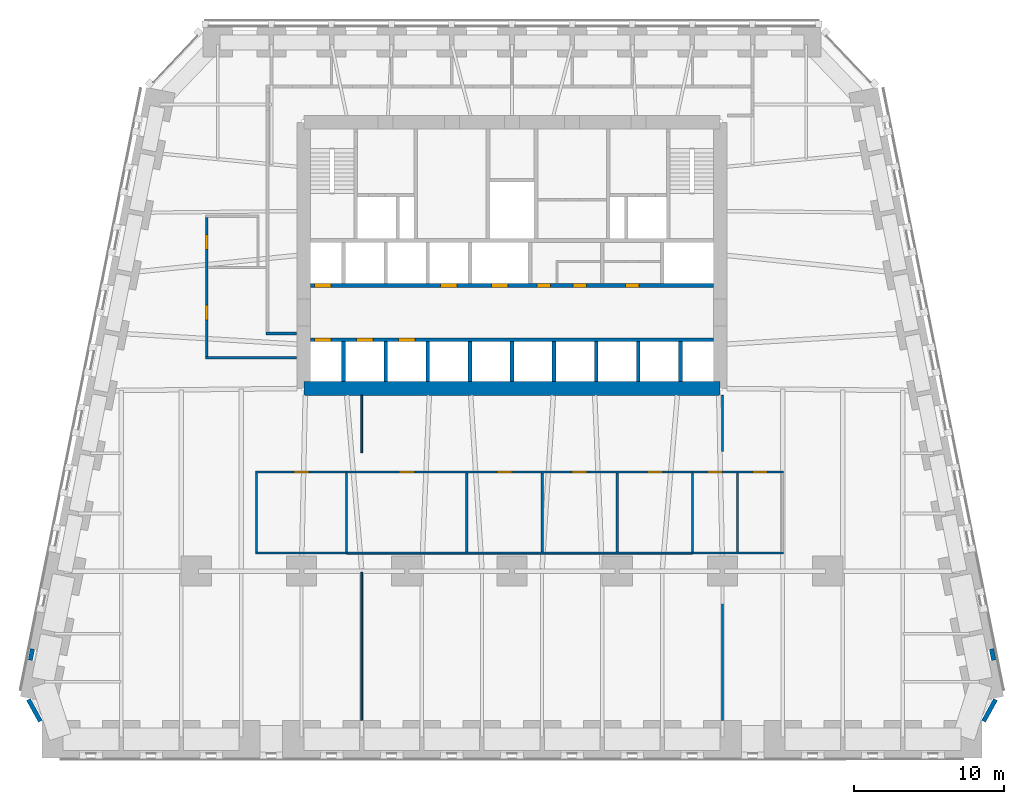
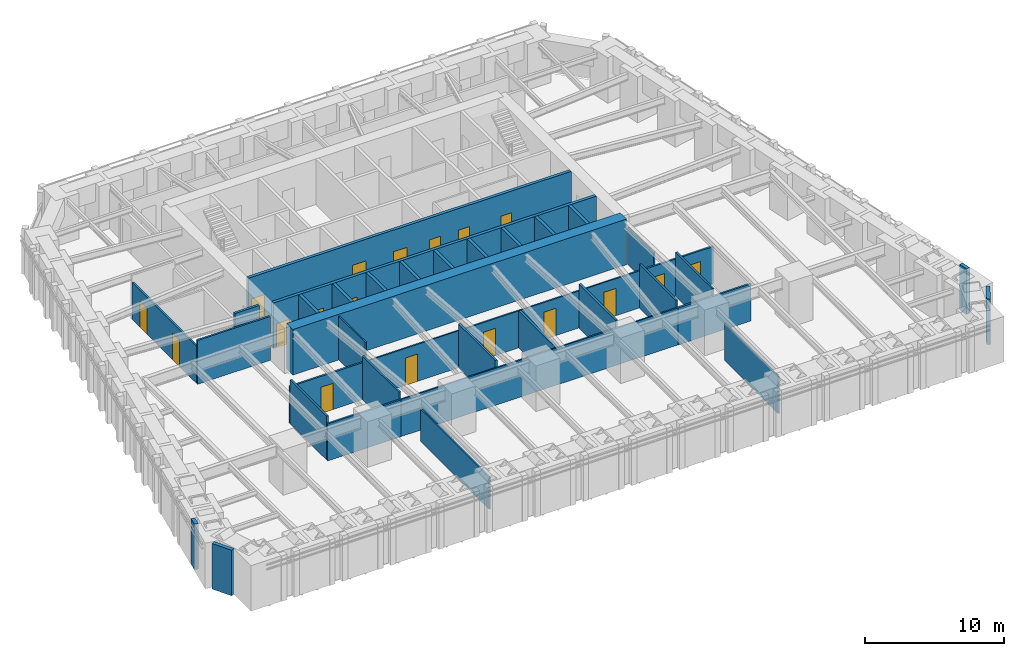
# One storey, part 12 of 16: 36 walls, 18 doors, 18 openings.
"""IFC4 building model written with IfcOpenShell, lengths in metres."""

from ifc_helpers import new_model, si_unit, direction, frame, frame_2d, origin, place, context, subcontext, project, spatial, rectangle, extrude, material, layer, layer_set, type_object, element, fill, save


model = new_model("IFC4")

# Units and contexts
model_context = context("Model", 3, precision=1e-05, world=origin(), true_north=direction((0.0, 1.0)))
body_context = subcontext(model_context, "Body", "Model", "MODEL_VIEW")
ifc_project = project(units=[si_unit("LENGTHUNIT", "METRE"), si_unit("AREAUNIT", "SQUARE_METRE"), si_unit("VOLUMEUNIT", "CUBIC_METRE"), si_unit("PLANEANGLEUNIT", "RADIAN"), si_unit("MASSUNIT", "GRAM", prefix="KILO")], contexts=[model_context])

# Site, building, storey
site_placement = place(None, origin())
site = spatial("IfcSite", under=ifc_project, at=site_placement, CompositionType="ELEMENT")
building_placement = place(site_placement, origin())
building = spatial("IfcBuilding", under=site, at=building_placement, Name="Isbrekke Arena Tower", CompositionType="ELEMENT")
storey_placement = place(building_placement, frame((0.0, 0.0, 32.0)))
storey = spatial("IfcBuildingStorey", under=building, at=storey_placement, Name="L05", CompositionType="ELEMENT", Elevation=32.0)

# Wall
ifc_material_1 = material(Name="Concrete B65 (C65/80)", Category="concrete")
ifc_layer_1 = layer(ifc_material_1, 0.89990234375)
ifc_layer_set_1 = layer_set([ifc_layer_1], Name="CW2 CORE WALL 900")
wall_type_1 = type_object("IfcWallType", Name="CW2 CORE WALL 900", PredefinedType="SHEAR", material=ifc_layer_set_1)
wall_1_placement = place(storey_placement, frame((-13.85009765625, 6.14990234375, 0.0), z_axis=(0.0, 0.0, 1.0), x_axis=(1.0, 0.0, 0.0)))
element("IfcWall", 1, at=wall_1_placement, inside=storey, type_object=wall_type_1, Name="Core wall S L05", PredefinedType="SHEAR", context=body_context, shape_type="SweptSolid", body=[
    extrude(rectangle(XDim=27.7001953125, YDim=0.89990234375, at=frame_2d((13.85009765625, 0.0))), origin(), (0.0, 0.0, 1.0), 4.0),
])

# Wall, openings, doors
ifc_material_2 = material(Name="Concrete B45 (C45/55)", Category="concrete")
ifc_layer_2 = layer(ifc_material_2, 0.25)
ifc_layer_set_2 = layer_set([ifc_layer_2], Name="CW6 SHAFT WALL 250")
wall_type_2 = type_object("IfcWallType", Name="CW6 SHAFT WALL 250", PredefinedType="SHEAR", material=ifc_layer_set_2)
wall_2_placement = place(storey_placement, frame((-13.39990234375, 9.39990234375, 0.0), z_axis=(0.0, 0.0, 1.0), x_axis=(1.0, 0.0, 0.0)))
wall_2 = element("IfcWall", 2, at=wall_2_placement, inside=storey, type_object=wall_type_2, Name="Core wall LS L05", PredefinedType="SHEAR", context=body_context, shape_type="SweptSolid", body=[
    extrude(rectangle(XDim=26.7998046875, YDim=0.25, at=frame_2d((13.39990234375, 0.0))), origin(), (0.0, 0.0, 1.0), 4.0),
])
opening_1_placement = place(wall_2_placement, frame((0.25, 0.0, 0.0)))
opening_1 = element("IfcOpeningElement", 3, at=opening_1_placement, cuts=wall_2, Name="Opening LD1", PredefinedType="OPENING", context=body_context, shape_type="SweptSolid", body=[
    extrude(rectangle(XDim=1.10009765625, YDim=2.10009765625, at=frame_2d((0.550048828125, 1.050048828125))), frame((0.0, 0.139892578125, 0.0), z_axis=(0.0, -1.0, 0.0), x_axis=(1.0, 0.0, 0.0)), (0.0, 0.0, 1.0), 0.27978515625),
])
opening_2_placement = place(wall_2_placement, frame((3.050048828125, 0.0, 0.0)))
opening_2 = element("IfcOpeningElement", 4, at=opening_2_placement, cuts=wall_2, Name="Opening LD1", PredefinedType="OPENING", context=body_context, shape_type="SweptSolid", body=[
    extrude(rectangle(XDim=1.10009765625, YDim=2.10009765625, at=frame_2d((0.550048828125, 1.050048828125))), frame((0.0, 0.139892578125, 0.0), z_axis=(0.0, -1.0, 0.0), x_axis=(1.0, 0.0, 0.0)), (0.0, 0.0, 1.0), 0.27978515625),
])
opening_3_placement = place(wall_2_placement, frame((5.85009765625, 0.0, 0.0)))
opening_3 = element("IfcOpeningElement", 5, at=opening_3_placement, cuts=wall_2, Name="Opening LD1", PredefinedType="OPENING", context=body_context, shape_type="SweptSolid", body=[
    extrude(rectangle(XDim=1.10009765625, YDim=2.10009765625, at=frame_2d((0.550048828125, 1.050048828125))), frame((0.0, 0.139892578125, 0.0), z_axis=(0.0, -1.0, 0.0), x_axis=(1.0, 0.0, 0.0)), (0.0, 0.0, 1.0), 0.27978515625),
])
ifc_material_3 = material(Name="Stainless steel lift landing door", Category="steel")
door_type_1 = type_object("IfcDoorType", Name="LD1 LIFT LANDING DOOR 1100 x 2100", OperationType="SLIDING_TO_LEFT", PredefinedType="DOOR", material=ifc_material_3)
door_1_placement = place(opening_1_placement, origin())
door_1 = element("IfcDoor", 6, at=door_1_placement, inside=storey, type_object=door_type_1, Name="LD1 lift landing door LA L05", OperationType="SLIDING_TO_LEFT", OverallHeight=2.10009765625, OverallWidth=1.10009765625, PredefinedType="DOOR", context=body_context, shape_type="SweptSolid", body=[
    extrude(rectangle(XDim=1.10009765625, YDim=2.10009765625, at=frame_2d((0.550048828125, 1.050048828125))), frame((0.0, 0.124755859375, 0.0), z_axis=(0.0, -1.0, 0.0), x_axis=(1.0, 0.0, 0.0)), (0.0, 0.0, 1.0), 0.24951171875),
])
fill(opening_1, door_1)
door_2_placement = place(opening_2_placement, origin())
door_2 = element("IfcDoor", 7, at=door_2_placement, inside=storey, type_object=door_type_1, Name="LD1 lift landing door LA L05", OperationType="SLIDING_TO_LEFT", OverallHeight=2.10009765625, OverallWidth=1.10009765625, PredefinedType="DOOR", context=body_context, shape_type="SweptSolid", body=[
    extrude(rectangle(XDim=1.10009765625, YDim=2.10009765625, at=frame_2d((0.550048828125, 1.050048828125))), frame((0.0, 0.124755859375, 0.0), z_axis=(0.0, -1.0, 0.0), x_axis=(1.0, 0.0, 0.0)), (0.0, 0.0, 1.0), 0.24951171875),
])
fill(opening_2, door_2)
door_3_placement = place(opening_3_placement, origin())
door_3 = element("IfcDoor", 8, at=door_3_placement, inside=storey, type_object=door_type_1, Name="LD1 lift landing door LA L05", OperationType="SLIDING_TO_LEFT", OverallHeight=2.10009765625, OverallWidth=1.10009765625, PredefinedType="DOOR", context=body_context, shape_type="SweptSolid", body=[
    extrude(rectangle(XDim=1.10009765625, YDim=2.10009765625, at=frame_2d((0.550048828125, 1.050048828125))), frame((0.0, 0.124755859375, 0.0), z_axis=(0.0, -1.0, 0.0), x_axis=(1.0, 0.0, 0.0)), (0.0, 0.0, 1.0), 0.24951171875),
])
fill(opening_3, door_3)

wall_3_placement = place(storey_placement, frame((-13.39990234375, 13.0, 0.0), z_axis=(0.0, 0.0, 1.0), x_axis=(1.0, 0.0, 0.0)))
wall_3 = element("IfcWall", 9, at=wall_3_placement, inside=storey, type_object=wall_type_2, Name="Core wall LN L05", PredefinedType="SHEAR", context=body_context, shape_type="SweptSolid", body=[
    extrude(rectangle(XDim=26.7998046875, YDim=0.25, at=frame_2d((13.39990234375, 0.0))), origin(), (0.0, 0.0, 1.0), 4.0),
])
opening_4_placement = place(wall_3_placement, frame((0.25, 0.0, 0.0)))
opening_4 = element("IfcOpeningElement", 10, at=opening_4_placement, cuts=wall_3, Name="Opening LD1", PredefinedType="OPENING", context=body_context, shape_type="SweptSolid", body=[
    extrude(rectangle(XDim=1.10009765625, YDim=2.10009765625, at=frame_2d((0.550048828125, 1.050048828125))), frame((0.0, 0.139892578125, 0.0), z_axis=(0.0, -1.0, 0.0), x_axis=(1.0, 0.0, 0.0)), (0.0, 0.0, 1.0), 0.27978515625),
])
opening_5_placement = place(wall_3_placement, frame((8.64990234375, 0.0, 0.0)))
opening_5 = element("IfcOpeningElement", 11, at=opening_5_placement, cuts=wall_3, Name="Opening LD1", PredefinedType="OPENING", context=body_context, shape_type="SweptSolid", body=[
    extrude(rectangle(XDim=1.10009765625, YDim=2.10009765625, at=frame_2d((0.550048828125, 1.050048828125))), frame((0.0, 0.139892578125, 0.0), z_axis=(0.0, -1.0, 0.0), x_axis=(1.0, 0.0, 0.0)), (0.0, 0.0, 1.0), 0.27978515625),
])
opening_6_placement = place(wall_3_placement, frame((12.050048828125, 0.0, 0.0)))
opening_6 = element("IfcOpeningElement", 12, at=opening_6_placement, cuts=wall_3, Name="Opening LD1", PredefinedType="OPENING", context=body_context, shape_type="SweptSolid", body=[
    extrude(rectangle(XDim=1.10009765625, YDim=2.10009765625, at=frame_2d((0.550048828125, 1.050048828125))), frame((0.0, 0.139892578125, 0.0), z_axis=(0.0, -1.0, 0.0), x_axis=(1.0, 0.0, 0.0)), (0.0, 0.0, 1.0), 0.27978515625),
])
opening_7_placement = place(wall_3_placement, frame((15.050048828125, 0.0, 0.0)))
opening_7 = element("IfcOpeningElement", 13, at=opening_7_placement, cuts=wall_3, Name="Opening D5", PredefinedType="OPENING", context=body_context, shape_type="SweptSolid", body=[
    extrude(rectangle(XDim=0.89990234375, YDim=2.10009765625, at=frame_2d((0.449951171875, 1.050048828125))), frame((0.0, 0.139892578125, 0.0), z_axis=(0.0, -1.0, 0.0), x_axis=(1.0, 0.0, 0.0)), (0.0, 0.0, 1.0), 0.27978515625),
])
opening_8_placement = place(wall_3_placement, frame((17.449951171875, 0.0, 0.0)))
opening_8 = element("IfcOpeningElement", 14, at=opening_8_placement, cuts=wall_3, Name="Opening D5", PredefinedType="OPENING", context=body_context, shape_type="SweptSolid", body=[
    extrude(rectangle(XDim=0.89990234375, YDim=2.10009765625, at=frame_2d((0.449951171875, 1.050048828125))), frame((0.0, 0.139892578125, 0.0), z_axis=(0.0, -1.0, 0.0), x_axis=(1.0, 0.0, 0.0)), (0.0, 0.0, 1.0), 0.27978515625),
])
opening_9_placement = place(wall_3_placement, frame((20.949951171875, 0.0, 0.0)))
opening_9 = element("IfcOpeningElement", 15, at=opening_9_placement, cuts=wall_3, Name="Opening D5", PredefinedType="OPENING", context=body_context, shape_type="SweptSolid", body=[
    extrude(rectangle(XDim=0.89990234375, YDim=2.10009765625, at=frame_2d((0.449951171875, 1.050048828125))), frame((0.0, 0.139892578125, 0.0), z_axis=(0.0, -1.0, 0.0), x_axis=(1.0, 0.0, 0.0)), (0.0, 0.0, 1.0), 0.27978515625),
])
ifc_material_4 = material(Name="Steel fire door", Category="steel")
door_type_2 = type_object("IfcDoorType", Name="D5 SERVICE DOOR 900 x 2100", OperationType="SINGLE_SWING_LEFT", PredefinedType="DOOR", material=ifc_material_4)
door_4_placement = place(opening_7_placement, origin())
door_4 = element("IfcDoor", 16, at=door_4_placement, inside=storey, type_object=door_type_2, Name="D5 communications room door L05", OperationType="SINGLE_SWING_LEFT", OverallHeight=2.10009765625, OverallWidth=0.89990234375, PredefinedType="DOOR", context=body_context, shape_type="SweptSolid", body=[
    extrude(rectangle(XDim=0.89990234375, YDim=2.10009765625, at=frame_2d((0.449951171875, 1.050048828125))), frame((0.0, 0.124755859375, 0.0), z_axis=(0.0, -1.0, 0.0), x_axis=(1.0, 0.0, 0.0)), (0.0, 0.0, 1.0), 0.24951171875),
])
fill(opening_7, door_4)
door_5_placement = place(opening_8_placement, origin())
door_5 = element("IfcDoor", 17, at=door_5_placement, inside=storey, type_object=door_type_2, Name="D5 cleaner's store door L05", OperationType="SINGLE_SWING_LEFT", OverallHeight=2.10009765625, OverallWidth=0.89990234375, PredefinedType="DOOR", context=body_context, shape_type="SweptSolid", body=[
    extrude(rectangle(XDim=0.89990234375, YDim=2.10009765625, at=frame_2d((0.449951171875, 1.050048828125))), frame((0.0, 0.124755859375, 0.0), z_axis=(0.0, -1.0, 0.0), x_axis=(1.0, 0.0, 0.0)), (0.0, 0.0, 1.0), 0.24951171875),
])
fill(opening_8, door_5)
door_6_placement = place(opening_9_placement, origin())
door_6 = element("IfcDoor", 18, at=door_6_placement, inside=storey, type_object=door_type_2, Name="D5 print room door L05", OperationType="SINGLE_SWING_LEFT", OverallHeight=2.10009765625, OverallWidth=0.89990234375, PredefinedType="DOOR", context=body_context, shape_type="SweptSolid", body=[
    extrude(rectangle(XDim=0.89990234375, YDim=2.10009765625, at=frame_2d((0.449951171875, 1.050048828125))), frame((0.0, 0.124755859375, 0.0), z_axis=(0.0, -1.0, 0.0), x_axis=(1.0, 0.0, 0.0)), (0.0, 0.0, 1.0), 0.24951171875),
])
fill(opening_9, door_6)
door_7_placement = place(opening_4_placement, origin())
door_7 = element("IfcDoor", 19, at=door_7_placement, inside=storey, type_object=door_type_1, Name="LD1 lift landing door LA L05", OperationType="SLIDING_TO_LEFT", OverallHeight=2.10009765625, OverallWidth=1.10009765625, PredefinedType="DOOR", context=body_context, shape_type="SweptSolid", body=[
    extrude(rectangle(XDim=1.10009765625, YDim=2.10009765625, at=frame_2d((0.550048828125, 1.050048828125))), frame((0.0, 0.124755859375, 0.0), z_axis=(0.0, -1.0, 0.0), x_axis=(1.0, 0.0, 0.0)), (0.0, 0.0, 1.0), 0.24951171875),
])
fill(opening_4, door_7)
door_8_placement = place(opening_5_placement, origin())
door_8 = element("IfcDoor", 20, at=door_8_placement, inside=storey, type_object=door_type_1, Name="LD1 lift landing door LA L05", OperationType="SLIDING_TO_LEFT", OverallHeight=2.10009765625, OverallWidth=1.10009765625, PredefinedType="DOOR", context=body_context, shape_type="SweptSolid", body=[
    extrude(rectangle(XDim=1.10009765625, YDim=2.10009765625, at=frame_2d((0.550048828125, 1.050048828125))), frame((0.0, 0.124755859375, 0.0), z_axis=(0.0, -1.0, 0.0), x_axis=(1.0, 0.0, 0.0)), (0.0, 0.0, 1.0), 0.24951171875),
])
fill(opening_5, door_8)
door_9_placement = place(opening_6_placement, origin())
door_9 = element("IfcDoor", 21, at=door_9_placement, inside=storey, type_object=door_type_1, Name="LD1 lift landing door LA L05", OperationType="SLIDING_TO_LEFT", OverallHeight=2.10009765625, OverallWidth=1.10009765625, PredefinedType="DOOR", context=body_context, shape_type="SweptSolid", body=[
    extrude(rectangle(XDim=1.10009765625, YDim=2.10009765625, at=frame_2d((0.550048828125, 1.050048828125))), frame((0.0, 0.124755859375, 0.0), z_axis=(0.0, -1.0, 0.0), x_axis=(1.0, 0.0, 0.0)), (0.0, 0.0, 1.0), 0.24951171875),
])
fill(opening_6, door_9)

# Walls
for number, where, z_axis, x_axis, name in (
    (22, (-11.199951171875, 6.60009765625, 0.0), (0.0, 0.0, 1.0), (0.0, 1.0, 0.0), "Core wall SS01 L05"),
    (23, (-8.39990234375, 6.60009765625, 0.0), (0.0, 0.0, 1.0), (0.0, 1.0, 0.0), "Core wall SS02 L05"),
    (24, (-5.60009765625, 6.60009765625, 0.0), (0.0, 0.0, 1.0), (0.0, 1.0, 0.0), "Core wall SS03 L05"),
    (25, (-2.800048828125, 6.60009765625, 0.0), (0.0, 0.0, 1.0), (0.0, 1.0, 0.0), "Core wall SS04 L05"),
    (26, (0.0, 6.60009765625, 0.0), (0.0, 0.0, 1.0), (0.0, 1.0, 0.0), "Core wall SS05 L05"),
    (27, (2.800048828125, 6.60009765625, 0.0), (0.0, 0.0, 1.0), (0.0, 1.0, 0.0), "Core wall SS06 L05"),
    (28, (5.60009765625, 6.60009765625, 0.0), (0.0, 0.0, 1.0), (0.0, 1.0, 0.0), "Core wall SS07 L05"),
    (29, (8.39990234375, 6.60009765625, 0.0), (0.0, 0.0, 1.0), (0.0, 1.0, 0.0), "Core wall SS08 L05"),
    (30, (11.199951171875, 6.60009765625, 0.0), (0.0, 0.0, 1.0), (0.0, 1.0, 0.0), "Core wall SS09 L05"),
):
    element("IfcWall", number, at=place(storey_placement, frame(where, z_axis=z_axis, x_axis=x_axis)), inside=storey, type_object=wall_type_2, Name=name, PredefinedType="SHEAR", context=body_context, shape_type="SweptSolid", body=[
        extrude(rectangle(XDim=2.6748046875, YDim=0.25, at=frame_2d((1.33740234375, 0.0))), origin(), (0.0, 0.0, 1.0), 4.0),
    ])
ifc_material_5 = material(Name="Insulated aluminium panel on steel framing", Category="steel")
ifc_layer_3 = layer(ifc_material_5, 0.300048828125)
ifc_layer_set_3 = layer_set([ifc_layer_3], Name="EW4 INSULATED PANEL WALL 300")
wall_type_3 = type_object("IfcWallType", Name="EW4 INSULATED PANEL WALL 300", PredefinedType="SOLIDWALL", material=ifc_layer_set_3)
wall_4_placement = place(storey_placement, frame((31.36328125, -15.98828125, 0.0), z_axis=(0.0, 0.0, 1.0), x_axis=(0.481879089964, 0.876237720402, 0.0)))
element("IfcWall", 31, at=wall_4_placement, inside=storey, type_object=wall_type_3, Name="EW4 corner closure panel L05-SE", PredefinedType="SOLIDWALL", context=body_context, shape_type="SweptSolid", body=[
    extrude(rectangle(XDim=1.654296875, YDim=0.300048828125, at=frame_2d((0.8271484375, 0.0))), origin(), (0.0, 0.0, 1.0), 4.0),
])
for number, where, z_axis, x_axis, name in (
    (32, (32.0380859375, -11.916259765625, 0.0), (0.0, 0.0, 1.0), (-0.195867092459, 0.980630451338, 0.0), "EW4 closure panel L05-E 1"),
    (33, (-31.890380859375, -11.1767578125, 0.0), (0.0, 0.0, 1.0), (-0.195867092459, -0.980630451338, 0.0), "EW4 closure panel L05-W 1"),
):
    element("IfcWall", number, at=place(storey_placement, frame(where, z_axis=z_axis, x_axis=x_axis)), inside=storey, type_object=wall_type_3, Name=name, PredefinedType="SOLIDWALL", context=body_context, shape_type="SweptSolid", body=[
        extrude(rectangle(XDim=0.754150390625, YDim=0.300048828125, at=frame_2d((0.376953125, 0.0))), origin(), (0.0, 0.0, 1.0), 4.0),
    ])
wall_5_placement = place(storey_placement, frame((-32.160400390625, -14.538818359375, 0.0), z_axis=(0.0, 0.0, 1.0), x_axis=(0.481879089964, -0.876237720402, 0.0)))
element("IfcWall", 34, at=wall_5_placement, inside=storey, type_object=wall_type_3, Name="EW4 corner closure panel L05-WS", PredefinedType="SOLIDWALL", context=body_context, shape_type="SweptSolid", body=[
    extrude(rectangle(XDim=1.654296875, YDim=0.300048828125, at=frame_2d((0.8271484375, 0.0))), origin(), (0.0, 0.0, 1.0), 4.0),
])
ifc_material_6 = material(Name="Gypsum board partition on steel studs", Category="steel")
ifc_layer_4 = layer(ifc_material_6, 0.14990234375)
ifc_layer_set_4 = layer_set([ifc_layer_4], Name="IW1 PARTITION 150")
wall_type_4 = type_object("IfcWallType", Name="IW1 PARTITION 150", PredefinedType="PARTITIONING", material=ifc_layer_set_4)
for number, where, z_axis, x_axis, name in (
    (35, (-17.074951171875, -4.800048828125, 0.0), (0.0, 0.0, 1.0), (1.0, 0.0, 0.0), "IW1 partition 150 L05"),
    (36, (12.0, -4.800048828125, 0.0), (0.0, 0.0, 1.0), (1.0, 0.0, 0.0), "IW1 partition 150 L05"),
):
    element("IfcWall", number, at=place(storey_placement, frame(where, z_axis=z_axis, x_axis=x_axis)), inside=storey, type_object=wall_type_4, Name=name, PredefinedType="PARTITIONING", context=body_context, shape_type="SweptSolid", body=[
        extrude(rectangle(XDim=6.074951171875, YDim=0.14990234375, at=frame_2d((3.03759765625, 0.0))), origin(), (0.0, 0.0, 1.0), 3.25),
    ])

# Wall, opening, door
wall_6_placement = place(storey_placement, frame((-17.074951171875, 0.60009765625, 0.0), z_axis=(0.0, 0.0, 1.0), x_axis=(1.0, 0.0, 0.0)))
wall_6 = element("IfcWall", 37, at=wall_6_placement, inside=storey, type_object=wall_type_4, Name="IW1 partition 150 L05", PredefinedType="PARTITIONING", context=body_context, shape_type="SweptSolid", body=[
    extrude(rectangle(XDim=6.074951171875, YDim=0.14990234375, at=frame_2d((3.03759765625, 0.0))), origin(), (0.0, 0.0, 1.0), 3.25),
])
opening_10_placement = place(wall_6_placement, frame((2.574951171875, 0.0, 0.0)))
opening_10 = element("IfcOpeningElement", 38, at=opening_10_placement, cuts=wall_6, Name="Opening D10", PredefinedType="OPENING", context=body_context, shape_type="SweptSolid", body=[
    extrude(rectangle(XDim=1.0, YDim=2.300048828125, at=frame_2d((0.5, 1.14990234375))), frame((0.0, 0.08984375, 0.0), z_axis=(0.0, -1.0, 0.0), x_axis=(1.0, 0.0, 0.0)), (0.0, 0.0, 1.0), 0.1796875),
])
ifc_material_7 = material(Name="Timber door", Category="wood")
door_type_3 = type_object("IfcDoorType", Name="D10 OFFICE DOOR 1000 x 2300", OperationType="SINGLE_SWING_LEFT", PredefinedType="DOOR", material=ifc_material_7)
door_10_placement = place(opening_10_placement, origin())
door_10 = element("IfcDoor", 39, at=door_10_placement, inside=storey, type_object=door_type_3, Name="D10 pantry door L05", OperationType="SINGLE_SWING_LEFT", OverallHeight=2.300048828125, OverallWidth=1.0, PredefinedType="DOOR", context=body_context, shape_type="SweptSolid", body=[
    extrude(rectangle(XDim=1.0, YDim=2.300048828125, at=frame_2d((0.5, 1.14990234375))), frame((0.0, 0.07470703125, 0.0), z_axis=(0.0, -1.0, 0.0), x_axis=(1.0, 0.0, 0.0)), (0.0, 0.0, 1.0), 0.1494140625),
])
fill(opening_10, door_10)

# Wall, openings, doors
wall_7_placement = place(storey_placement, frame((12.0, 0.60009765625, 0.0), z_axis=(0.0, 0.0, 1.0), x_axis=(1.0, 0.0, 0.0)))
wall_7 = element("IfcWall", 40, at=wall_7_placement, inside=storey, type_object=wall_type_4, Name="IW1 partition 150 L05", PredefinedType="PARTITIONING", context=body_context, shape_type="SweptSolid", body=[
    extrude(rectangle(XDim=6.074951171875, YDim=0.14990234375, at=frame_2d((3.03759765625, 0.0))), origin(), (0.0, 0.0, 1.0), 3.25),
])
opening_11_placement = place(wall_7_placement, frame((1.0, 0.0, 0.0)))
opening_11 = element("IfcOpeningElement", 41, at=opening_11_placement, cuts=wall_7, Name="Opening D10", PredefinedType="OPENING", context=body_context, shape_type="SweptSolid", body=[
    extrude(rectangle(XDim=1.0, YDim=2.300048828125, at=frame_2d((0.5, 1.14990234375))), frame((0.0, 0.08984375, 0.0), z_axis=(0.0, -1.0, 0.0), x_axis=(1.0, 0.0, 0.0)), (0.0, 0.0, 1.0), 0.1796875),
])
opening_12_placement = place(wall_7_placement, frame((4.0, 0.0, 0.0)))
opening_12 = element("IfcOpeningElement", 42, at=opening_12_placement, cuts=wall_7, Name="Opening D10", PredefinedType="OPENING", context=body_context, shape_type="SweptSolid", body=[
    extrude(rectangle(XDim=1.0, YDim=2.300048828125, at=frame_2d((0.5, 1.14990234375))), frame((0.0, 0.08984375, 0.0), z_axis=(0.0, -1.0, 0.0), x_axis=(1.0, 0.0, 0.0)), (0.0, 0.0, 1.0), 0.1796875),
])
door_11_placement = place(opening_11_placement, origin())
door_11 = element("IfcDoor", 43, at=door_11_placement, inside=storey, type_object=door_type_3, Name="D10 print room door L05", OperationType="SINGLE_SWING_LEFT", OverallHeight=2.300048828125, OverallWidth=1.0, PredefinedType="DOOR", context=body_context, shape_type="SweptSolid", body=[
    extrude(rectangle(XDim=1.0, YDim=2.300048828125, at=frame_2d((0.5, 1.14990234375))), frame((0.0, 0.07470703125, 0.0), z_axis=(0.0, -1.0, 0.0), x_axis=(1.0, 0.0, 0.0)), (0.0, 0.0, 1.0), 0.1494140625),
])
fill(opening_11, door_11)
door_12_placement = place(opening_12_placement, origin())
door_12 = element("IfcDoor", 44, at=door_12_placement, inside=storey, type_object=door_type_3, Name="D10 store door L05", OperationType="SINGLE_SWING_LEFT", OverallHeight=2.300048828125, OverallWidth=1.0, PredefinedType="DOOR", context=body_context, shape_type="SweptSolid", body=[
    extrude(rectangle(XDim=1.0, YDim=2.300048828125, at=frame_2d((0.5, 1.14990234375))), frame((0.0, 0.07470703125, 0.0), z_axis=(0.0, -1.0, 0.0), x_axis=(1.0, 0.0, 0.0)), (0.0, 0.0, 1.0), 0.1494140625),
])
fill(opening_12, door_12)

# Wall
wall_8_placement = place(storey_placement, frame((-20.375, 8.199951171875, 0.0), z_axis=(0.0, 0.0, 1.0), x_axis=(1.0, 0.0, 0.0)))
element("IfcWall", 45, at=wall_8_placement, inside=storey, type_object=wall_type_4, Name="IW1 partition 150 L05", PredefinedType="PARTITIONING", context=body_context, shape_type="SweptSolid", body=[
    extrude(rectangle(XDim=6.044921875, YDim=0.14990234375, at=frame_2d((3.0224609375, 0.0))), origin(), (0.0, 0.0, 1.0), 3.85009765625),
])

# Wall, openings, doors
wall_9_placement = place(storey_placement, frame((-20.300048828125, 8.27490234375, 0.0), z_axis=(0.0, 0.0, 1.0), x_axis=(0.0, 1.0, 0.0)))
wall_9 = element("IfcWall", 46, at=wall_9_placement, inside=storey, type_object=wall_type_4, Name="IW1 partition 150 L05", PredefinedType="PARTITIONING", context=body_context, shape_type="SweptSolid", body=[
    extrude(rectangle(XDim=9.25, YDim=0.14990234375, at=frame_2d((4.625, 0.0))), origin(), (0.0, 0.0, 1.0), 3.25),
])
opening_13_placement = place(wall_9_placement, frame((2.425048828125, 0.0, 0.0)))
opening_13 = element("IfcOpeningElement", 47, at=opening_13_placement, cuts=wall_9, Name="Opening D10", PredefinedType="OPENING", context=body_context, shape_type="SweptSolid", body=[
    extrude(rectangle(XDim=1.0, YDim=2.300048828125, at=frame_2d((0.5, 1.14990234375))), frame((0.0, 0.08984375, 0.0), z_axis=(0.0, -1.0, 0.0), x_axis=(1.0, 0.0, 0.0)), (0.0, 0.0, 1.0), 0.1796875),
])
opening_14_placement = place(wall_9_placement, frame((7.125, 0.0, 0.0)))
opening_14 = element("IfcOpeningElement", 48, at=opening_14_placement, cuts=wall_9, Name="Opening D10", PredefinedType="OPENING", context=body_context, shape_type="SweptSolid", body=[
    extrude(rectangle(XDim=1.0, YDim=2.300048828125, at=frame_2d((0.5, 1.14990234375))), frame((0.0, 0.08984375, 0.0), z_axis=(0.0, -1.0, 0.0), x_axis=(1.0, 0.0, 0.0)), (0.0, 0.0, 1.0), 0.1796875),
])
door_13_placement = place(opening_13_placement, origin())
door_13 = element("IfcDoor", 49, at=door_13_placement, inside=storey, type_object=door_type_3, Name="D10 reception door L05", OperationType="SINGLE_SWING_LEFT", OverallHeight=2.300048828125, OverallWidth=1.0, PredefinedType="DOOR", context=body_context, shape_type="SweptSolid", body=[
    extrude(rectangle(XDim=1.0, YDim=2.300048828125, at=frame_2d((0.5, 1.14990234375))), frame((0.0, 0.07470703125, 0.0), z_axis=(0.0, -1.0, 0.0), x_axis=(1.0, 0.0, 0.0)), (0.0, 0.0, 1.0), 0.1494140625),
])
fill(opening_13, door_13)
door_14_placement = place(opening_14_placement, origin())
door_14 = element("IfcDoor", 50, at=door_14_placement, inside=storey, type_object=door_type_3, Name="D10 cloakroom door L05", OperationType="SINGLE_SWING_LEFT", OverallHeight=2.300048828125, OverallWidth=1.0, PredefinedType="DOOR", context=body_context, shape_type="SweptSolid", body=[
    extrude(rectangle(XDim=1.0, YDim=2.300048828125, at=frame_2d((0.5, 1.14990234375))), frame((0.0, 0.07470703125, 0.0), z_axis=(0.0, -1.0, 0.0), x_axis=(1.0, 0.0, 0.0)), (0.0, 0.0, 1.0), 0.1494140625),
])
fill(opening_14, door_14)

# Walls
for number, where, z_axis, x_axis, name in (
    (51, (-17.0, -4.72509765625, 0.0), (0.0, 0.0, 1.0), (0.0, 1.0, 0.0), "IW1 partition 150 L05"),
    (52, (-11.0, -4.72509765625, 0.0), (0.0, 0.0, 1.0), (0.0, 1.0, 0.0), "IW1 partition 150 L05"),
    (53, (12.0, -4.72509765625, 0.0), (0.0, 0.0, 1.0), (0.0, 1.0, 0.0), "IW1 partition 150 L05"),
    (54, (15.0, -4.72509765625, 0.0), (0.0, 0.0, 1.0), (0.0, 1.0, 0.0), "IW1 partition 150 L05"),
):
    element("IfcWall", number, at=place(storey_placement, frame(where, z_axis=z_axis, x_axis=x_axis)), inside=storey, type_object=wall_type_4, Name=name, PredefinedType="PARTITIONING", context=body_context, shape_type="SweptSolid", body=[
        extrude(rectangle(XDim=5.25, YDim=0.14990234375, at=frame_2d((2.625, 0.0))), origin(), (0.0, 0.0, 1.0), 3.85009765625),
    ])
ifc_material_8 = material(Name="Frameless glazed partition, laminated acoustic glass", Category="glass")
ifc_layer_5 = layer(ifc_material_8, 0.1201171875)
ifc_layer_set_5 = layer_set([ifc_layer_5], Name="IW2 GLAZED PARTITION 120")
wall_type_5 = type_object("IfcWallType", Name="IW2 GLAZED PARTITION 120", PredefinedType="PARTITIONING", material=ifc_layer_set_5)
wall_10_placement = place(storey_placement, frame((-11.0, -4.800048828125, 0.0), z_axis=(0.0, 0.0, 1.0), x_axis=(1.0, 0.0, 0.0)))
element("IfcWall", 55, at=wall_10_placement, inside=storey, type_object=wall_type_5, Name="IW2 glazed partition 120 L05", PredefinedType="PARTITIONING", context=body_context, shape_type="SweptSolid", body=[
    extrude(rectangle(XDim=23.0, YDim=0.1201171875, at=frame_2d((11.5, 0.0))), origin(), (0.0, 0.0, 1.0), 3.25),
])

# Wall, openings, doors
wall_11_placement = place(storey_placement, frame((-11.0, 0.60009765625, 0.0), z_axis=(0.0, 0.0, 1.0), x_axis=(1.0, 0.0, 0.0)))
wall_11 = element("IfcWall", 56, at=wall_11_placement, inside=storey, type_object=wall_type_5, Name="IW2 glazed partition 120 L05", PredefinedType="PARTITIONING", context=body_context, shape_type="SweptSolid", body=[
    extrude(rectangle(XDim=23.0, YDim=0.1201171875, at=frame_2d((11.5, 0.0))), origin(), (0.0, 0.0, 1.0), 3.25),
])
opening_15_placement = place(wall_11_placement, frame((3.5, 0.0, 0.0)))
opening_15 = element("IfcOpeningElement", 57, at=opening_15_placement, cuts=wall_11, Name="Opening D11", PredefinedType="OPENING", context=body_context, shape_type="SweptSolid", body=[
    extrude(rectangle(XDim=1.0, YDim=2.39990234375, at=frame_2d((0.5, 1.199951171875))), frame((0.0, 0.074951171875, 0.0), z_axis=(0.0, -1.0, 0.0), x_axis=(1.0, 0.0, 0.0)), (0.0, 0.0, 1.0), 0.14990234375),
])
opening_16_placement = place(wall_11_placement, frame((10.0, 0.0, 0.0)))
opening_16 = element("IfcOpeningElement", 58, at=opening_16_placement, cuts=wall_11, Name="Opening D11", PredefinedType="OPENING", context=body_context, shape_type="SweptSolid", body=[
    extrude(rectangle(XDim=1.0, YDim=2.39990234375, at=frame_2d((0.5, 1.199951171875))), frame((0.0, 0.074951171875, 0.0), z_axis=(0.0, -1.0, 0.0), x_axis=(1.0, 0.0, 0.0)), (0.0, 0.0, 1.0), 0.14990234375),
])
opening_17_placement = place(wall_11_placement, frame((15.0, 0.0, 0.0)))
opening_17 = element("IfcOpeningElement", 59, at=opening_17_placement, cuts=wall_11, Name="Opening D11", PredefinedType="OPENING", context=body_context, shape_type="SweptSolid", body=[
    extrude(rectangle(XDim=1.0, YDim=2.39990234375, at=frame_2d((0.5, 1.199951171875))), frame((0.0, 0.074951171875, 0.0), z_axis=(0.0, -1.0, 0.0), x_axis=(1.0, 0.0, 0.0)), (0.0, 0.0, 1.0), 0.14990234375),
])
opening_18_placement = place(wall_11_placement, frame((20.0, 0.0, 0.0)))
opening_18 = element("IfcOpeningElement", 60, at=opening_18_placement, cuts=wall_11, Name="Opening D11", PredefinedType="OPENING", context=body_context, shape_type="SweptSolid", body=[
    extrude(rectangle(XDim=1.0, YDim=2.39990234375, at=frame_2d((0.5, 1.199951171875))), frame((0.0, 0.074951171875, 0.0), z_axis=(0.0, -1.0, 0.0), x_axis=(1.0, 0.0, 0.0)), (0.0, 0.0, 1.0), 0.14990234375),
])
ifc_material_9 = material(Name="Frameless glazed door", Category="glass")
door_type_4 = type_object("IfcDoorType", Name="D11 GLAZED MEETING ROOM DOOR 1000 x 2400", OperationType="SINGLE_SWING_RIGHT", PredefinedType="DOOR", material=ifc_material_9)
door_15_placement = place(opening_15_placement, origin())
door_15 = element("IfcDoor", 61, at=door_15_placement, inside=storey, type_object=door_type_4, Name="D11 event planning room door L05", OperationType="SINGLE_SWING_RIGHT", OverallHeight=2.39990234375, OverallWidth=1.0, PredefinedType="DOOR", context=body_context, shape_type="SweptSolid", body=[
    extrude(rectangle(XDim=1.0, YDim=2.39990234375, at=frame_2d((0.5, 1.199951171875))), frame((0.0, 0.059814453125, 0.0), z_axis=(0.0, -1.0, 0.0), x_axis=(1.0, 0.0, 0.0)), (0.0, 0.0, 1.0), 0.11962890625),
])
fill(opening_15, door_15)
door_16_placement = place(opening_16_placement, origin())
door_16 = element("IfcDoor", 62, at=door_16_placement, inside=storey, type_object=door_type_4, Name="D11 meeting room door L05", OperationType="SINGLE_SWING_RIGHT", OverallHeight=2.39990234375, OverallWidth=1.0, PredefinedType="DOOR", context=body_context, shape_type="SweptSolid", body=[
    extrude(rectangle(XDim=1.0, YDim=2.39990234375, at=frame_2d((0.5, 1.199951171875))), frame((0.0, 0.059814453125, 0.0), z_axis=(0.0, -1.0, 0.0), x_axis=(1.0, 0.0, 0.0)), (0.0, 0.0, 1.0), 0.11962890625),
])
fill(opening_16, door_16)
door_17_placement = place(opening_17_placement, origin())
door_17 = element("IfcDoor", 63, at=door_17_placement, inside=storey, type_object=door_type_4, Name="D11 meeting room door L05", OperationType="SINGLE_SWING_RIGHT", OverallHeight=2.39990234375, OverallWidth=1.0, PredefinedType="DOOR", context=body_context, shape_type="SweptSolid", body=[
    extrude(rectangle(XDim=1.0, YDim=2.39990234375, at=frame_2d((0.5, 1.199951171875))), frame((0.0, 0.059814453125, 0.0), z_axis=(0.0, -1.0, 0.0), x_axis=(1.0, 0.0, 0.0)), (0.0, 0.0, 1.0), 0.11962890625),
])
fill(opening_17, door_17)
door_18_placement = place(opening_18_placement, origin())
door_18 = element("IfcDoor", 64, at=door_18_placement, inside=storey, type_object=door_type_4, Name="D11 meeting room door L05", OperationType="SINGLE_SWING_RIGHT", OverallHeight=2.39990234375, OverallWidth=1.0, PredefinedType="DOOR", context=body_context, shape_type="SweptSolid", body=[
    extrude(rectangle(XDim=1.0, YDim=2.39990234375, at=frame_2d((0.5, 1.199951171875))), frame((0.0, 0.059814453125, 0.0), z_axis=(0.0, -1.0, 0.0), x_axis=(1.0, 0.0, 0.0)), (0.0, 0.0, 1.0), 0.11962890625),
])
fill(opening_18, door_18)

# Walls
wall_12_placement = place(storey_placement, frame((-9.9990234375, -15.925048828125, 0.0), z_axis=(0.0, 0.0, 1.0), x_axis=(0.0, 1.0, 0.0)))
element("IfcWall", 65, at=wall_12_placement, inside=storey, type_object=wall_type_5, Name="IW2 glazed partition 120 L05", PredefinedType="PARTITIONING", context=body_context, shape_type="SweptSolid", body=[
    extrude(rectangle(XDim=9.844970703125, YDim=0.1201171875, at=frame_2d((4.92236328125, 0.0))), origin(), (0.0, 0.0, 1.0), 2.842041015625),
])
wall_13_placement = place(storey_placement, frame((-9.9990234375, 1.8798828125, 0.0), z_axis=(0.0, 0.0, 1.0), x_axis=(0.0, 1.0, 0.0)))
element("IfcWall", 66, at=wall_13_placement, inside=storey, type_object=wall_type_5, Name="IW2 glazed partition 120 L05", PredefinedType="PARTITIONING", context=body_context, shape_type="SweptSolid", body=[
    extrude(rectangle(XDim=3.820068359375, YDim=0.1201171875, at=frame_2d((1.91015625, 0.0))), origin(), (0.0, 0.0, 1.0), 3.85009765625),
])
wall_14_placement = place(storey_placement, frame((14.0009765625, -15.925048828125, 0.0), z_axis=(0.0, 0.0, 1.0), x_axis=(0.0, 1.0, 0.0)))
element("IfcWall", 67, at=wall_14_placement, inside=storey, type_object=wall_type_5, Name="IW2 glazed partition 120 L05", PredefinedType="PARTITIONING", context=body_context, shape_type="SweptSolid", body=[
    extrude(rectangle(XDim=7.72509765625, YDim=0.1201171875, at=frame_2d((3.862548828125, 0.0))), origin(), (0.0, 0.0, 1.0), 3.25),
])
wall_15_placement = place(storey_placement, frame((14.0009765625, 1.97509765625, 0.0), z_axis=(0.0, 0.0, 1.0), x_axis=(0.0, 1.0, 0.0)))
element("IfcWall", 68, at=wall_15_placement, inside=storey, type_object=wall_type_5, Name="IW2 glazed partition 120 L05", PredefinedType="PARTITIONING", context=body_context, shape_type="SweptSolid", body=[
    extrude(rectangle(XDim=3.724853515625, YDim=0.1201171875, at=frame_2d((1.8623046875, 0.0))), origin(), (0.0, 0.0, 1.0), 3.25),
])
ifc_material_10 = material(Name="Gypsum board fire-cell wall on steel studs, two layers each side", Category="steel")
ifc_layer_6 = layer(ifc_material_10, 0.199951171875)
ifc_layer_set_6 = layer_set([ifc_layer_6], Name="IW3 FIRE-CELL WALL 200")
wall_type_6 = type_object("IfcWallType", Name="IW3 FIRE-CELL WALL 200", PredefinedType="PARTITIONING", material=ifc_layer_set_6)
wall_16_placement = place(storey_placement, frame((-16.35009765625, 9.800048828125, 0.0), z_axis=(0.0, 0.0, 1.0), x_axis=(1.0, 0.0, 0.0)))
element("IfcWall", 69, at=wall_16_placement, inside=storey, type_object=wall_type_6, Name="IW3 fire-cell wall 200 L05", PredefinedType="PARTITIONING", context=body_context, shape_type="SweptSolid", body=[
    extrude(rectangle(XDim=2.02001953125, YDim=0.199951171875, at=frame_2d((1.010009765625, 0.0))), origin(), (0.0, 0.0, 1.0), 3.85009765625),
])
ifc_material_11 = material(Name="Gypsum board acoustic partition on twin steel studs", Category="steel")
ifc_layer_7 = layer(ifc_material_11, 0.175048828125)
ifc_layer_set_7 = layer_set([ifc_layer_7], Name="IW4 ACOUSTIC PARTITION 175")
wall_type_7 = type_object("IfcWallType", Name="IW4 ACOUSTIC PARTITION 175", PredefinedType="PARTITIONING", material=ifc_layer_set_7)
wall_17_placement = place(storey_placement, frame((-3.0, -4.739990234375, 0.0), z_axis=(0.0, 0.0, 1.0), x_axis=(0.0, 1.0, 0.0)))
element("IfcWall", 70, at=wall_17_placement, inside=storey, type_object=wall_type_7, Name="IW4 acoustic partition 175 L05", PredefinedType="PARTITIONING", context=body_context, shape_type="SweptSolid", body=[
    extrude(rectangle(XDim=5.280029296875, YDim=0.175048828125, at=frame_2d((2.64013671875, 0.0))), origin(), (0.0, 0.0, 1.0), 3.85009765625),
])
wall_18_placement = place(storey_placement, frame((2.0, -4.739990234375, 0.0), z_axis=(0.0, 0.0, 1.0), x_axis=(0.0, 1.0, 0.0)))
element("IfcWall", 71, at=wall_18_placement, inside=storey, type_object=wall_type_7, Name="IW4 acoustic partition 175 L05", PredefinedType="PARTITIONING", context=body_context, shape_type="SweptSolid", body=[
    extrude(rectangle(XDim=5.280029296875, YDim=0.175048828125, at=frame_2d((2.64013671875, 0.0))), origin(), (0.0, 0.0, 1.0), 3.25),
])
wall_19_placement = place(storey_placement, frame((7.0, -4.739990234375, 0.0), z_axis=(0.0, 0.0, 1.0), x_axis=(0.0, 1.0, 0.0)))
element("IfcWall", 72, at=wall_19_placement, inside=storey, type_object=wall_type_7, Name="IW4 acoustic partition 175 L05", PredefinedType="PARTITIONING", context=body_context, shape_type="SweptSolid", body=[
    extrude(rectangle(XDim=5.280029296875, YDim=0.175048828125, at=frame_2d((2.64013671875, 0.0))), origin(), (0.0, 0.0, 1.0), 3.85009765625),
])

save(model, "model.ifc")
